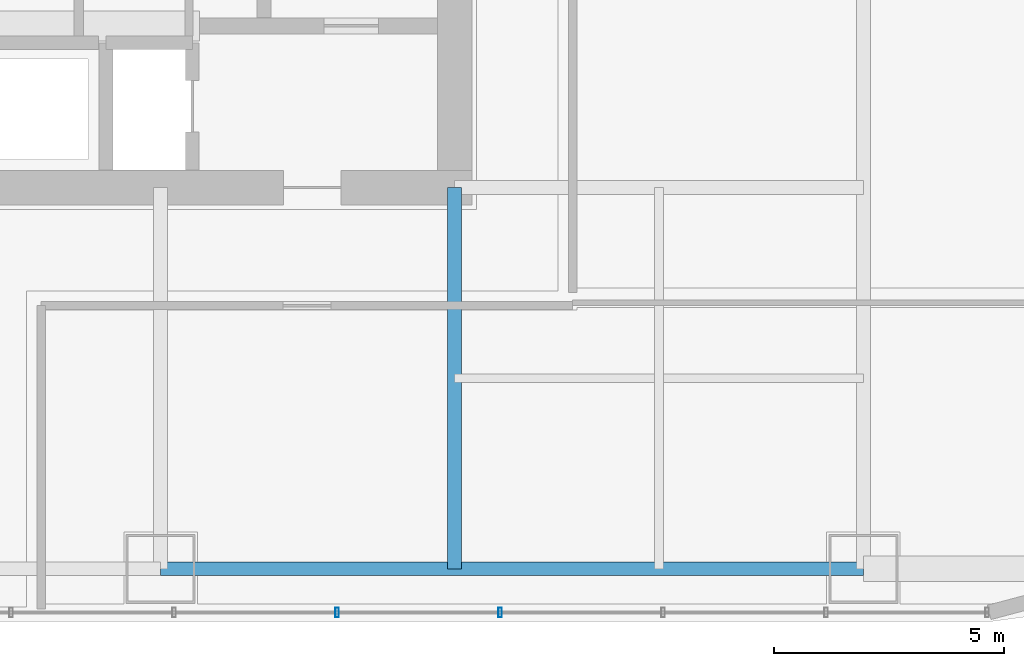
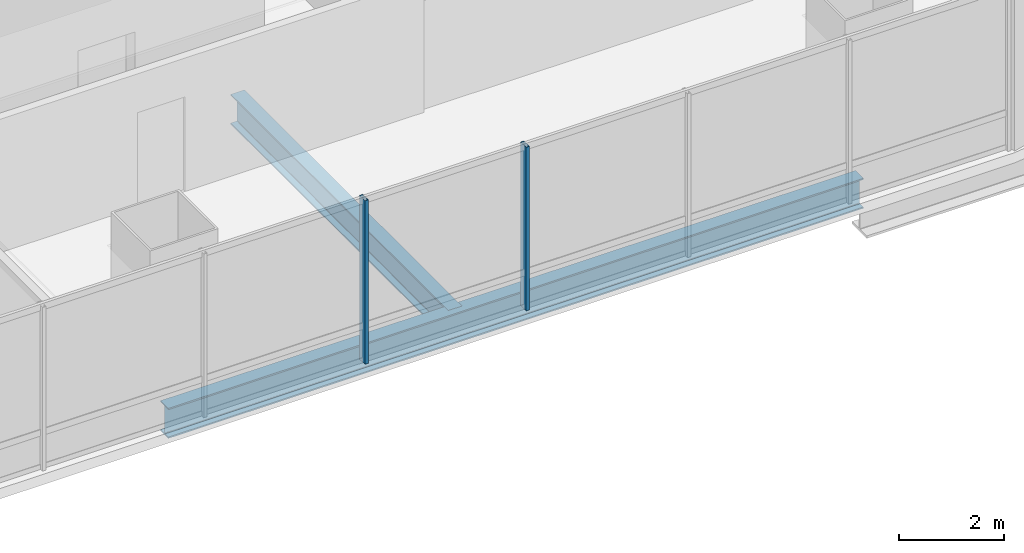
# One storey, part 7 of 34: 2 beams, 2 members, 1 element without a shape of its own.
"""IFC4 building model written with IfcOpenShell, lengths in metres."""

from ifc_helpers import new_model, si_unit, direction, frame, origin, origin_2d, place, context, subcontext, project, spatial, hollow_rectangle, i_section, extrude, material, material_profile, profile_set, type_object, element, aggregate, save


model = new_model("IFC4")

# Units and contexts
model_context = context("Model", 3, precision=1e-05, world=origin(), true_north=direction((0.0, 1.0)))
body_context = subcontext(model_context, "Body", "Model", "MODEL_VIEW")
ifc_project = project(units=[si_unit("LENGTHUNIT", "METRE"), si_unit("AREAUNIT", "SQUARE_METRE"), si_unit("VOLUMEUNIT", "CUBIC_METRE"), si_unit("PLANEANGLEUNIT", "RADIAN"), si_unit("MASSUNIT", "GRAM", prefix="KILO")], contexts=[model_context])

# Site, building, storey
site_placement = place(None, origin())
site = spatial("IfcSite", under=ifc_project, at=site_placement, CompositionType="ELEMENT")
building_placement = place(site_placement, origin())
building = spatial("IfcBuilding", under=site, at=building_placement, Name="Punatoya Terracotta Tower", CompositionType="ELEMENT")
storey_placement = place(building_placement, frame((0.0, 0.0, 117.300048828125)))
storey = spatial("IfcBuildingStorey", under=building, at=storey_placement, Name="L27", CompositionType="ELEMENT", Elevation=117.300048828125)

# Beams
ifc_material_1 = material(Name="Steel S355", Category="steel")
ifc_material_profile_1 = material_profile(ifc_material_1, i_section(OverallWidth=0.300048828125, OverallDepth=0.699951171875, WebThickness=0.01708984375, FlangeThickness=0.031982421875, FilletRadius=0.01806640625, at=origin_2d()))
ifc_profile_set_1 = profile_set([ifc_material_profile_1], Name="Steel S355")
beam_type = type_object("IfcBeamType", Name="BM-PRI-700", PredefinedType="BEAM", material=ifc_profile_set_1)
beam_1_placement = place(storey_placement, frame((3.800048828125, -17.5, -0.590087890625), z_axis=(1.0, 0.0, 0.0), x_axis=(0.0, 1.0, 0.0)))
element("IfcBeam", 1, at=beam_1_placement, inside=storey, type_object=beam_type, Name="BM-L27-RG-S3", PredefinedType="BEAM", context=body_context, shape_type="SweptSolid", body=[
    extrude(i_section(OverallWidth=0.300048828125, OverallDepth=0.699951171875, WebThickness=0.01708984375, FlangeThickness=0.031982421875, FilletRadius=0.01806640625, at=origin_2d()), origin(), (0.0, 0.0, 1.0), 15.300048828125),
])
beam_2_placement = place(storey_placement, frame((10.199951171875, -17.5, -0.590087890625), z_axis=(0.0, 1.0, 0.0), x_axis=(-1.0, 0.0, 0.0)))
element("IfcBeam", 2, at=beam_2_placement, inside=storey, type_object=beam_type, Name="BM-L27-PR-S4", PredefinedType="BEAM", context=body_context, shape_type="SweptSolid", body=[
    extrude(i_section(OverallWidth=0.300048828125, OverallDepth=0.699951171875, WebThickness=0.01708984375, FlangeThickness=0.031982421875, FilletRadius=0.01806640625, at=origin_2d()), origin(), (0.0, 0.0, 1.0), 8.300048828125),
])

# Curtain wall, members
ifc_material_2 = material(Name="Aluminium 6063-T6 + Double Low-E Glass", Category="aluminium")
curtain_wall_type = type_object("IfcCurtainWallType", Name="CW-M1", PredefinedType="NOTDEFINED", material=ifc_material_2)
curtain_wall_placement = place(storey_placement, origin())
curtain_wall = element("IfcCurtainWall", 3, at=curtain_wall_placement, inside=storey, type_object=curtain_wall_type, Name="L27 Curtain Wall CW-L27-S01-1", PredefinedType="NOTDEFINED")
ifc_material_3 = material(Name="Aluminium 6063-T6", Category="aluminium")
ifc_material_profile_2 = material_profile(ifc_material_3, hollow_rectangle(XDim=0.074951171875, YDim=0.2099609375, WallThickness=0.00439453125, at=origin_2d()))
ifc_profile_set_2 = profile_set([ifc_material_profile_2], Name="Aluminium 6063-T6")
member_type = type_object("IfcMemberType", Name="CW-MUL-M1", PredefinedType="MULLION", material=ifc_profile_set_2)
member_1_placement = place(storey_placement, frame((7.64208984375, -18.449951171875, 0.0), z_axis=(0.0, 0.0, 1.0), x_axis=(1.0, 0.0, 0.0)))
member_1 = element("IfcMember", 4, at=member_1_placement, type_object=member_type, Name="CW-L27-S01-1 Mullion 06", PredefinedType="MULLION", context=body_context, shape_type="SweptSolid", body=[
    extrude(hollow_rectangle(XDim=0.074951171875, YDim=0.2099609375, WallThickness=0.00439453125, at=origin_2d()), origin(), (0.0, 0.0, 1.0), 3.81005859375),
])
member_2_placement = place(storey_placement, frame((11.19091796875, -18.449951171875, 0.0), z_axis=(0.0, 0.0, 1.0), x_axis=(1.0, 0.0, 0.0)))
member_2 = element("IfcMember", 5, at=member_2_placement, type_object=member_type, Name="CW-L27-S01-1 Mullion 07", PredefinedType="MULLION", context=body_context, shape_type="SweptSolid", body=[
    extrude(hollow_rectangle(XDim=0.074951171875, YDim=0.2099609375, WallThickness=0.00439453125, at=origin_2d()), origin(), (0.0, 0.0, 1.0), 3.81005859375),
])
aggregate(curtain_wall, [member_1, member_2])

save(model, "model.ifc")
